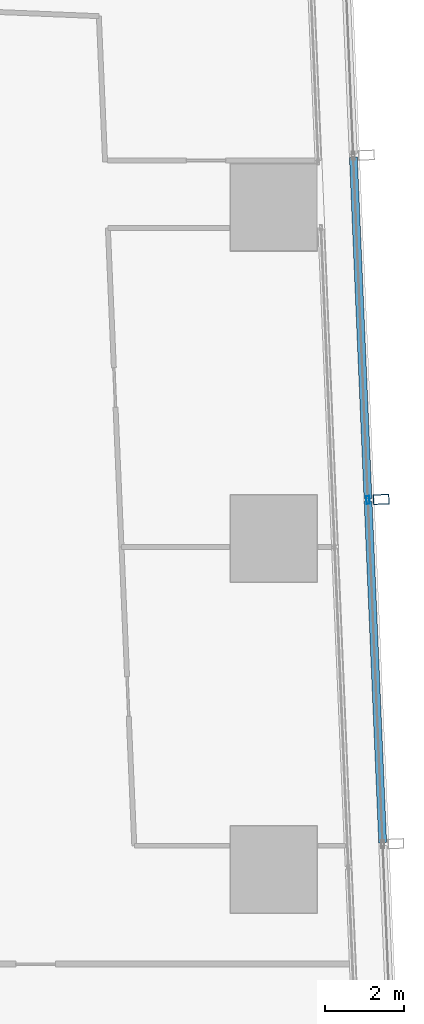
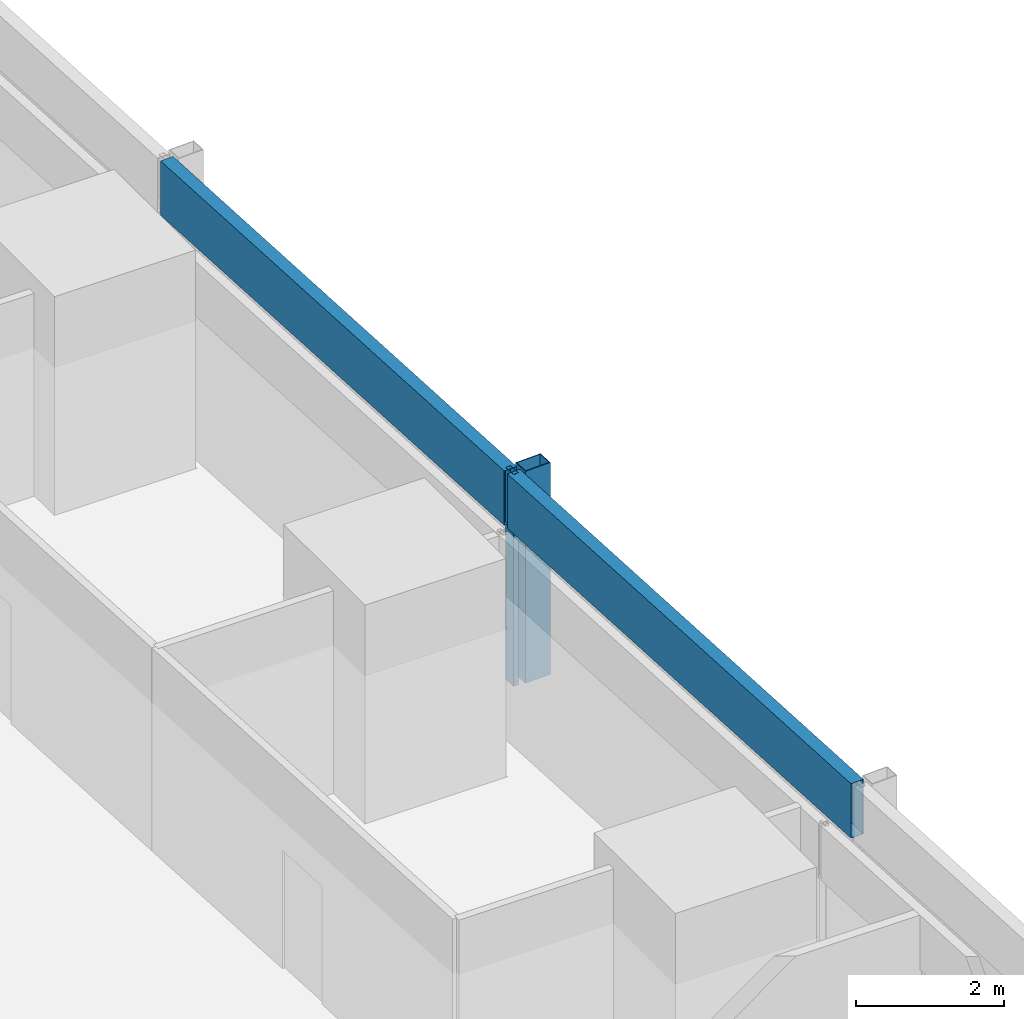
# One storey, part 28 of 44: 4 members, 1 element without a shape of its own.
"""IFC4 building model written with IfcOpenShell, lengths in metres."""

from ifc_helpers import new_model, si_unit, direction, frame, origin, origin_2d, place, context, subcontext, project, spatial, hollow_rectangle, extrude, material, material_profile, profile_set, type_object, element, aggregate, save


model = new_model("IFC4")

# Units and contexts
model_context = context("Model", 3, precision=1e-05, world=origin(), true_north=direction((0.0, 1.0)))
body_context = subcontext(model_context, "Body", "Model", "MODEL_VIEW")
ifc_project = project(units=[si_unit("LENGTHUNIT", "METRE"), si_unit("AREAUNIT", "SQUARE_METRE"), si_unit("VOLUMEUNIT", "CUBIC_METRE"), si_unit("PLANEANGLEUNIT", "RADIAN"), si_unit("MASSUNIT", "GRAM", prefix="KILO")], contexts=[model_context])

# Site, building, storey
site_placement = place(None, origin())
site = spatial("IfcSite", under=ifc_project, at=site_placement, CompositionType="ELEMENT")
building_placement = place(site_placement, origin())
building = spatial("IfcBuilding", under=site, at=building_placement, Name="Rekha Terrace Tower", CompositionType="ELEMENT")
storey_placement = place(building_placement, frame((0.0, 0.0, 74.14990234375)))
storey = spatial("IfcBuildingStorey", under=building, at=storey_placement, Name="L18", CompositionType="ELEMENT", Elevation=74.14990234375)

# Curtain wall, members
ifc_material_1 = material(Name="Aluminium framing", Category="aluminium")
curtain_wall_type = type_object("IfcCurtainWallType", Name="CW2 double skin outer glazing", PredefinedType="USERDEFINED", material=ifc_material_1)
curtain_wall_placement = place(storey_placement, origin())
curtain_wall = element("IfcCurtainWall", 1, at=curtain_wall_placement, inside=storey, type_object=curtain_wall_type, Name="CW2 double skin outer glazing", ObjectType="DOUBLE SKIN OUTER GLAZING", PredefinedType="USERDEFINED")
ifc_material_2 = material(Name="Steel S355 with fluorocarbon finish", Category="steel")
ifc_material_profile_1 = material_profile(ifc_material_2, hollow_rectangle(XDim=0.25, YDim=0.39990234375, WallThickness=0.012451171875, at=origin_2d()), Name="RHS400x250x12.5")
ifc_profile_set_1 = profile_set([ifc_material_profile_1], Name="Steel S355 with fluorocarbon finish")
member_type_1 = type_object("IfcMemberType", Name="BL1 facade blade RHS 400 x 250", PredefinedType="USERDEFINED", material=ifc_profile_set_1)
member_1_placement = place(storey_placement, frame((69.927734375, 42.989013671875, 0.0), z_axis=(0.0, 0.0, 1.0), x_axis=(-0.04269522475, 0.99908814315, 0.0)))
member_1 = element("IfcMember", 2, at=member_1_placement, type_object=member_type_1, Name="Facade blade", ObjectType="FACADE BLADE", PredefinedType="USERDEFINED", context=body_context, shape_type="SweptSolid", body=[
    extrude(hollow_rectangle(XDim=0.25, YDim=0.39990234375, WallThickness=0.012451171875, at=origin_2d()), origin(), (0.0, 0.0, 1.0), 3.5),
])
ifc_material_3 = material(Name="Aluminium mullion section", Category="aluminium")
ifc_material_profile_2 = material_profile(ifc_material_3, hollow_rectangle(XDim=0.080078125, YDim=0.199951171875, WallThickness=0.00390625, at=origin_2d()), Name="AL RHS 80x200")
ifc_profile_set_2 = profile_set([ifc_material_profile_2], Name="Aluminium mullion section")
member_type_2 = type_object("IfcMemberType", Name="CW2 mullion RHS 80 x 200", PredefinedType="MULLION", material=ifc_profile_set_2)
member_2_placement = place(storey_placement, frame((69.593017578125, 42.974609375, 0.0), z_axis=(0.0, 0.0, 1.0), x_axis=(-0.999088106903, -0.042696072956, 0.0)))
member_2 = element("IfcMember", 3, at=member_2_placement, type_object=member_type_2, Name="CW2 mullion 3", PredefinedType="MULLION", context=body_context, shape_type="SweptSolid", body=[
    extrude(hollow_rectangle(XDim=0.080078125, YDim=0.199951171875, WallThickness=0.00390625, at=origin_2d()), origin(), (0.0, 0.0, 1.0), 3.5),
])
ifc_material_4 = material(Name="Insulated aluminium spandrel box", Category="aluminium")
ifc_material_profile_3 = material_profile(ifc_material_4, hollow_rectangle(XDim=0.199951171875, YDim=0.89990234375, WallThickness=0.0029296875, at=origin_2d()), Name="AL SPANDREL BOX 200x900")
ifc_profile_set_3 = profile_set([ifc_material_profile_3], Name="Insulated aluminium spandrel box")
member_type_3 = type_object("IfcMemberType", Name="CW2 spandrel transom 200 x 900", PredefinedType="USERDEFINED", material=ifc_profile_set_3)
member_3_placement = place(storey_placement, frame((69.964599609375, 34.27880859375, 3.050048828125), z_axis=(-0.042692466729, 0.999088261008, 0.0), x_axis=(-0.999088261008, -0.042692466729, 0.0)))
member_3 = element("IfcMember", 4, at=member_3_placement, type_object=member_type_3, Name="CW2 spandrel transom 2", ObjectType="TRANSOM", PredefinedType="USERDEFINED", context=body_context, shape_type="SweptSolid", body=[
    extrude(hollow_rectangle(XDim=0.199951171875, YDim=0.89990234375, WallThickness=0.0029296875, at=origin_2d()), origin(), (0.0, 0.0, 1.0), 8.66357421875),
])
member_4_placement = place(storey_placement, frame((69.59130859375, 43.014404296875, 3.050048828125), z_axis=(-0.042691264793, 0.999088312368, 0.0), x_axis=(-0.999088312368, -0.042691264793, 0.0)))
member_4 = element("IfcMember", 5, at=member_4_placement, type_object=member_type_3, Name="CW2 spandrel transom 3", ObjectType="TRANSOM", PredefinedType="USERDEFINED", context=body_context, shape_type="SweptSolid", body=[
    extrude(hollow_rectangle(XDim=0.199951171875, YDim=0.89990234375, WallThickness=0.0029296875, at=origin_2d()), origin(), (0.0, 0.0, 1.0), 8.663818359375),
])
aggregate(curtain_wall, [member_2, member_3, member_4, member_1])

save(model, "model.ifc")
